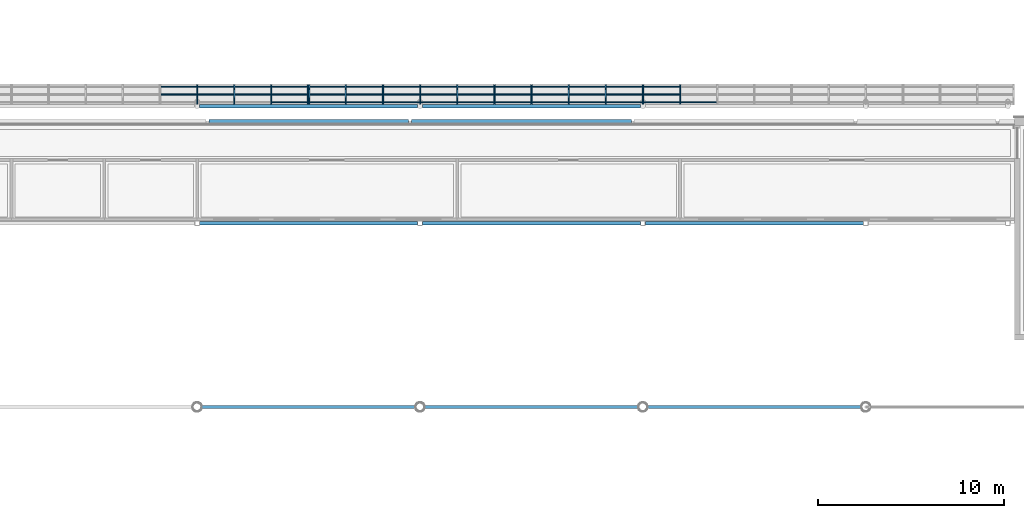
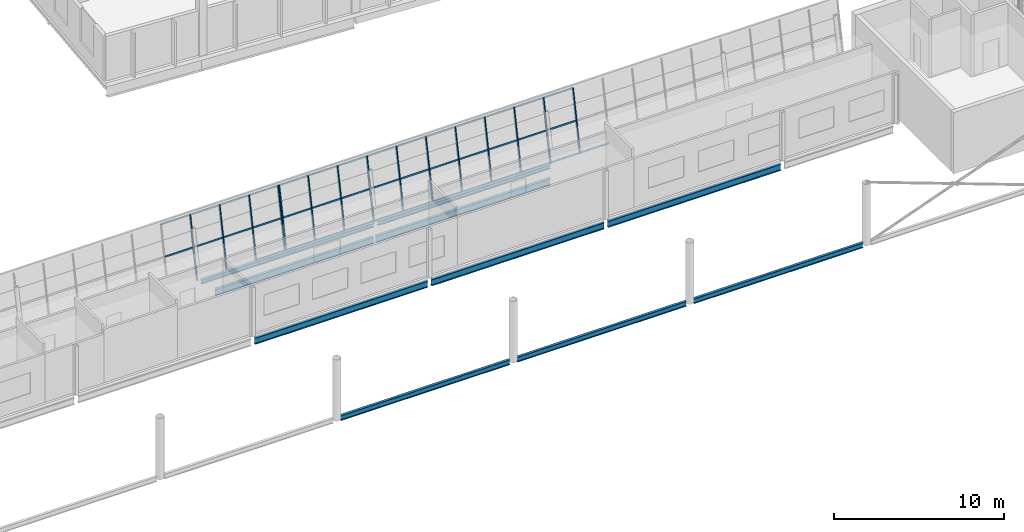
# One storey, part 28 of 95: 55 members, 10 beams, 2 elements without a shape of their own.
"""IFC4 building model written with IfcOpenShell, lengths in metres."""

from ifc_helpers import new_model, si_unit, direction, frame, origin, origin_2d, place, context, subcontext, project, spatial, rectangle, i_section, extrude, material, layer, layer_set, material_profile, profile_set, type_object, element, aggregate, save


model = new_model("IFC4")

# Units and contexts
model_context = context("Model", 3, precision=1e-05, world=origin(), true_north=direction((0.0, 1.0)))
body_context = subcontext(model_context, "Body", "Model", "MODEL_VIEW")
ifc_project = project(units=[si_unit("LENGTHUNIT", "METRE"), si_unit("AREAUNIT", "SQUARE_METRE"), si_unit("VOLUMEUNIT", "CUBIC_METRE"), si_unit("PLANEANGLEUNIT", "RADIAN"), si_unit("MASSUNIT", "GRAM", prefix="KILO")], contexts=[model_context])

# Site, building, storey
site_placement = place(None, origin())
site = spatial("IfcSite", under=ifc_project, at=site_placement, CompositionType="ELEMENT")
building_placement = place(site_placement, origin())
building = spatial("IfcBuilding", under=site, at=building_placement, Name="Windward Yard Aquatics Centre", CompositionType="ELEMENT")
storey_placement = place(building_placement, frame((0.0, 0.0, 9.39990234375)))
storey = spatial("IfcBuildingStorey", under=building, at=storey_placement, Name="L02", CompositionType="ELEMENT", Elevation=9.39990234375)

# Curtain wall, members
ifc_material_1 = material(Name="Glass and aluminium curtain wall", Category="aluminium")
ifc_layer = layer(ifc_material_1, 0.179931640625)
ifc_layer_set = layer_set([ifc_layer], Name="H curtain wall tier 1 double glazed 8+16+8")
curtain_wall_type = type_object("IfcCurtainWallType", Name="H curtain wall tier 1 double glazed 8+16+8", PredefinedType="NOTDEFINED", material=ifc_layer_set)
curtain_wall_1_placement = place(storey_placement, origin())
curtain_wall_1 = element("IfcCurtainWall", 1, at=curtain_wall_1_placement, inside=storey, type_object=curtain_wall_type, Name="Tier 1 glazing N L02", PredefinedType="NOTDEFINED")
ifc_material_2 = material(Name="Aluminium 6063-T6 anodised", Category="aluminium")
ifc_material_profile_1 = material_profile(ifc_material_2, rectangle(XDim=0.06494140625, YDim=0.179931640625, at=origin_2d()), Name="H CW mullion 65x180")
ifc_profile_set_1 = profile_set([ifc_material_profile_1], Name="Aluminium 6063-T6 anodised")
member_type_1 = type_object("IfcMemberType", Name="H CW mullion 65x180", PredefinedType="MULLION", material=ifc_profile_set_1)
member_1_placement = place(storey_placement, frame((95.995849609375, 96.803466796875, 0.0), z_axis=(0.0, 0.199322032497, 0.979934042352), x_axis=(-1.0, 0.0, 0.0)))
member_1 = element("IfcMember", 2, at=member_1_placement, type_object=member_type_1, Name="G1NA mullion 17", PredefinedType="MULLION", context=body_context, shape_type="SweptSolid", body=[
    extrude(rectangle(XDim=0.06494140625, YDim=0.179931640625, at=origin_2d()), origin(), (0.0, 0.0, 1.0), 4.31884765625),
])
member_2_placement = place(storey_placement, frame((97.99560546875, 96.803466796875, 0.0), z_axis=(0.0, 0.199322032497, 0.979934042352), x_axis=(-1.0, 0.0, 0.0)))
member_2 = element("IfcMember", 3, at=member_2_placement, type_object=member_type_1, Name="G1NA mullion 18", PredefinedType="MULLION", context=body_context, shape_type="SweptSolid", body=[
    extrude(rectangle(XDim=0.06494140625, YDim=0.179931640625, at=origin_2d()), origin(), (0.0, 0.0, 1.0), 4.31884765625),
])
member_3_placement = place(storey_placement, frame((99.995361328125, 96.803466796875, 0.0), z_axis=(0.0, 0.199322032497, 0.979934042352), x_axis=(-1.0, 0.0, 0.0)))
member_3 = element("IfcMember", 4, at=member_3_placement, type_object=member_type_1, Name="G1NA mullion 19", PredefinedType="MULLION", context=body_context, shape_type="SweptSolid", body=[
    extrude(rectangle(XDim=0.06494140625, YDim=0.179931640625, at=origin_2d()), origin(), (0.0, 0.0, 1.0), 4.31884765625),
])
member_4_placement = place(storey_placement, frame((101.96240234375, 96.803466796875, 0.0), z_axis=(0.0, 0.199322032497, 0.979934042352), x_axis=(-1.0, 0.0, 0.0)))
member_4 = element("IfcMember", 5, at=member_4_placement, type_object=member_type_1, Name="G1NA mullion 20", PredefinedType="MULLION", context=body_context, shape_type="SweptSolid", body=[
    extrude(rectangle(XDim=0.06494140625, YDim=0.179931640625, at=origin_2d()), origin(), (0.0, 0.0, 1.0), 4.31884765625),
])

curtain_wall_2_placement = place(storey_placement, origin())
curtain_wall_2 = element("IfcCurtainWall", 6, at=curtain_wall_2_placement, inside=storey, type_object=curtain_wall_type, Name="Tier 1 glazing N L02", PredefinedType="NOTDEFINED")
member_5_placement = place(storey_placement, frame((102.03759765625, 96.803466796875, 0.0), z_axis=(0.0, 0.199322032497, 0.979934042352), x_axis=(-1.0, 0.0, 0.0)))
member_5 = element("IfcMember", 7, at=member_5_placement, type_object=member_type_1, Name="G1NB mullion 1", PredefinedType="MULLION", context=body_context, shape_type="SweptSolid", body=[
    extrude(rectangle(XDim=0.06494140625, YDim=0.179931640625, at=origin_2d()), origin(), (0.0, 0.0, 1.0), 4.31884765625),
])
member_6_placement = place(storey_placement, frame((104.004638671875, 96.803466796875, 0.0), z_axis=(0.0, 0.199322032497, 0.979934042352), x_axis=(-1.0, 0.0, 0.0)))
member_6 = element("IfcMember", 8, at=member_6_placement, type_object=member_type_1, Name="G1NB mullion 2", PredefinedType="MULLION", context=body_context, shape_type="SweptSolid", body=[
    extrude(rectangle(XDim=0.06494140625, YDim=0.179931640625, at=origin_2d()), origin(), (0.0, 0.0, 1.0), 4.31884765625),
])
member_7_placement = place(storey_placement, frame((106.00439453125, 96.803466796875, 0.0), z_axis=(0.0, 0.199322032497, 0.979934042352), x_axis=(-1.0, 0.0, 0.0)))
member_7 = element("IfcMember", 9, at=member_7_placement, type_object=member_type_1, Name="G1NB mullion 3", PredefinedType="MULLION", context=body_context, shape_type="SweptSolid", body=[
    extrude(rectangle(XDim=0.06494140625, YDim=0.179931640625, at=origin_2d()), origin(), (0.0, 0.0, 1.0), 4.31884765625),
])
member_8_placement = place(storey_placement, frame((108.004150390625, 96.803466796875, 0.0), z_axis=(0.0, 0.199322032497, 0.979934042352), x_axis=(-1.0, 0.0, 0.0)))
member_8 = element("IfcMember", 10, at=member_8_placement, type_object=member_type_1, Name="G1NB mullion 4", PredefinedType="MULLION", context=body_context, shape_type="SweptSolid", body=[
    extrude(rectangle(XDim=0.06494140625, YDim=0.179931640625, at=origin_2d()), origin(), (0.0, 0.0, 1.0), 4.31884765625),
])
member_9_placement = place(storey_placement, frame((110.00390625, 96.803466796875, 0.0), z_axis=(0.0, 0.199322032497, 0.979934042352), x_axis=(-1.0, 0.0, 0.0)))
member_9 = element("IfcMember", 11, at=member_9_placement, type_object=member_type_1, Name="G1NB mullion 5", PredefinedType="MULLION", context=body_context, shape_type="SweptSolid", body=[
    extrude(rectangle(XDim=0.06494140625, YDim=0.179931640625, at=origin_2d()), origin(), (0.0, 0.0, 1.0), 4.31884765625),
])
member_10_placement = place(storey_placement, frame((112.003662109375, 96.803466796875, 0.0), z_axis=(0.0, 0.199322032497, 0.979934042352), x_axis=(-1.0, 0.0, 0.0)))
member_10 = element("IfcMember", 12, at=member_10_placement, type_object=member_type_1, Name="G1NB mullion 6", PredefinedType="MULLION", context=body_context, shape_type="SweptSolid", body=[
    extrude(rectangle(XDim=0.06494140625, YDim=0.179931640625, at=origin_2d()), origin(), (0.0, 0.0, 1.0), 4.31884765625),
])
member_11_placement = place(storey_placement, frame((114.00341796875, 96.803466796875, 0.0), z_axis=(0.0, 0.199322032497, 0.979934042352), x_axis=(-1.0, 0.0, 0.0)))
member_11 = element("IfcMember", 13, at=member_11_placement, type_object=member_type_1, Name="G1NB mullion 7", PredefinedType="MULLION", context=body_context, shape_type="SweptSolid", body=[
    extrude(rectangle(XDim=0.06494140625, YDim=0.179931640625, at=origin_2d()), origin(), (0.0, 0.0, 1.0), 4.31884765625),
])
member_12_placement = place(storey_placement, frame((116.003173828125, 96.803466796875, 0.0), z_axis=(0.0, 0.199322032497, 0.979934042352), x_axis=(-1.0, 0.0, 0.0)))
member_12 = element("IfcMember", 14, at=member_12_placement, type_object=member_type_1, Name="G1NB mullion 8", PredefinedType="MULLION", context=body_context, shape_type="SweptSolid", body=[
    extrude(rectangle(XDim=0.06494140625, YDim=0.179931640625, at=origin_2d()), origin(), (0.0, 0.0, 1.0), 4.31884765625),
])
member_13_placement = place(storey_placement, frame((118.0029296875, 96.803466796875, 0.0), z_axis=(0.0, 0.199322032497, 0.979934042352), x_axis=(-1.0, 0.0, 0.0)))
member_13 = element("IfcMember", 15, at=member_13_placement, type_object=member_type_1, Name="G1NB mullion 9", PredefinedType="MULLION", context=body_context, shape_type="SweptSolid", body=[
    extrude(rectangle(XDim=0.06494140625, YDim=0.179931640625, at=origin_2d()), origin(), (0.0, 0.0, 1.0), 4.31884765625),
])
member_14_placement = place(storey_placement, frame((120.002685546875, 96.803466796875, 0.0), z_axis=(0.0, 0.199322032497, 0.979934042352), x_axis=(-1.0, 0.0, 0.0)))
member_14 = element("IfcMember", 16, at=member_14_placement, type_object=member_type_1, Name="G1NB mullion 10", PredefinedType="MULLION", context=body_context, shape_type="SweptSolid", body=[
    extrude(rectangle(XDim=0.06494140625, YDim=0.179931640625, at=origin_2d()), origin(), (0.0, 0.0, 1.0), 4.31884765625),
])
member_15_placement = place(storey_placement, frame((122.00244140625, 96.803466796875, 0.0), z_axis=(0.0, 0.199322032497, 0.979934042352), x_axis=(-1.0, 0.0, 0.0)))
member_15 = element("IfcMember", 17, at=member_15_placement, type_object=member_type_1, Name="G1NB mullion 11", PredefinedType="MULLION", context=body_context, shape_type="SweptSolid", body=[
    extrude(rectangle(XDim=0.06494140625, YDim=0.179931640625, at=origin_2d()), origin(), (0.0, 0.0, 1.0), 4.31884765625),
])

# Member
ifc_material_profile_2 = material_profile(ifc_material_2, rectangle(XDim=0.06494140625, YDim=0.10009765625, at=origin_2d()), Name="H CW transom 65x100")
ifc_profile_set_2 = profile_set([ifc_material_profile_2], Name="Aluminium 6063-T6 anodised")
member_type_2 = type_object("IfcMemberType", Name="H CW transom 65x100", PredefinedType="USERDEFINED", material=ifc_profile_set_2)
member_16_placement = place(storey_placement, frame((94.028564453125, 97.235595703125, 2.125), z_axis=(1.0, 0.0, 0.0), x_axis=(0.0, -0.9799247046, 0.19936793452)))
member_16 = element("IfcMember", 18, at=member_16_placement, type_object=member_type_2, Name="G1NA transom 16.2", ObjectType="TRANSOM", PredefinedType="USERDEFINED", context=body_context, shape_type="SweptSolid", body=[
    extrude(rectangle(XDim=0.06494140625, YDim=0.10009765625, at=origin_2d()), origin(), (0.0, 0.0, 1.0), 1.934814453125),
])

member_17_placement = place(storey_placement, frame((94.028564453125, 97.65673828125, 4.194580078125), z_axis=(1.0, 0.0, 0.0), x_axis=(0.0, -0.9799247046, 0.19936793452)))
member_17 = element("IfcMember", 19, at=member_17_placement, type_object=member_type_2, Name="G1NA transom 16.3", ObjectType="TRANSOM", PredefinedType="USERDEFINED", context=body_context, shape_type="SweptSolid", body=[
    extrude(rectangle(XDim=0.06494140625, YDim=0.10009765625, at=origin_2d()), origin(), (0.0, 0.0, 1.0), 1.934814453125),
])

member_18_placement = place(storey_placement, frame((96.0283203125, 97.235595703125, 2.125), z_axis=(1.0, 0.0, 0.0), x_axis=(0.0, -0.9799247046, 0.19936793452)))
member_18 = element("IfcMember", 20, at=member_18_placement, type_object=member_type_2, Name="G1NA transom 17.2", ObjectType="TRANSOM", PredefinedType="USERDEFINED", context=body_context, shape_type="SweptSolid", body=[
    extrude(rectangle(XDim=0.06494140625, YDim=0.10009765625, at=origin_2d()), origin(), (0.0, 0.0, 1.0), 1.934814453125),
])

member_19_placement = place(storey_placement, frame((96.0283203125, 97.65673828125, 4.194580078125), z_axis=(1.0, 0.0, 0.0), x_axis=(0.0, -0.9799247046, 0.19936793452)))
member_19 = element("IfcMember", 21, at=member_19_placement, type_object=member_type_2, Name="G1NA transom 17.3", ObjectType="TRANSOM", PredefinedType="USERDEFINED", context=body_context, shape_type="SweptSolid", body=[
    extrude(rectangle(XDim=0.06494140625, YDim=0.10009765625, at=origin_2d()), origin(), (0.0, 0.0, 1.0), 1.934814453125),
])

member_20_placement = place(storey_placement, frame((98.028076171875, 97.235595703125, 2.125), z_axis=(1.0, 0.0, 0.0), x_axis=(0.0, -0.9799247046, 0.19936793452)))
member_20 = element("IfcMember", 22, at=member_20_placement, type_object=member_type_2, Name="G1NA transom 18.2", ObjectType="TRANSOM", PredefinedType="USERDEFINED", context=body_context, shape_type="SweptSolid", body=[
    extrude(rectangle(XDim=0.06494140625, YDim=0.10009765625, at=origin_2d()), origin(), (0.0, 0.0, 1.0), 1.9345703125),
])

member_21_placement = place(storey_placement, frame((98.028076171875, 97.65673828125, 4.194580078125), z_axis=(1.0, 0.0, 0.0), x_axis=(0.0, -0.9799247046, 0.19936793452)))
member_21 = element("IfcMember", 23, at=member_21_placement, type_object=member_type_2, Name="G1NA transom 18.3", ObjectType="TRANSOM", PredefinedType="USERDEFINED", context=body_context, shape_type="SweptSolid", body=[
    extrude(rectangle(XDim=0.06494140625, YDim=0.10009765625, at=origin_2d()), origin(), (0.0, 0.0, 1.0), 1.9345703125),
])

member_22_placement = place(storey_placement, frame((100.02783203125, 96.813232421875, 0.049072265625), z_axis=(1.0, 0.0, 0.0), x_axis=(0.0, -0.9799247046, 0.19936793452)))
member_22 = element("IfcMember", 24, at=member_22_placement, type_object=member_type_2, Name="G1NA transom 19.1", ObjectType="TRANSOM", PredefinedType="USERDEFINED", context=body_context, shape_type="SweptSolid", body=[
    extrude(rectangle(XDim=0.06494140625, YDim=0.10009765625, at=origin_2d()), origin(), (0.0, 0.0, 1.0), 1.902099609375),
])

member_23_placement = place(storey_placement, frame((100.02783203125, 97.235595703125, 2.125), z_axis=(1.0, 0.0, 0.0), x_axis=(0.0, -0.9799247046, 0.19936793452)))
member_23 = element("IfcMember", 25, at=member_23_placement, type_object=member_type_2, Name="G1NA transom 19.2", ObjectType="TRANSOM", PredefinedType="USERDEFINED", context=body_context, shape_type="SweptSolid", body=[
    extrude(rectangle(XDim=0.06494140625, YDim=0.10009765625, at=origin_2d()), origin(), (0.0, 0.0, 1.0), 1.902099609375),
])

member_24_placement = place(storey_placement, frame((100.02783203125, 97.65673828125, 4.194580078125), z_axis=(1.0, 0.0, 0.0), x_axis=(0.0, -0.9799247046, 0.19936793452)))
member_24 = element("IfcMember", 26, at=member_24_placement, type_object=member_type_2, Name="G1NA transom 19.3", ObjectType="TRANSOM", PredefinedType="USERDEFINED", context=body_context, shape_type="SweptSolid", body=[
    extrude(rectangle(XDim=0.06494140625, YDim=0.10009765625, at=origin_2d()), origin(), (0.0, 0.0, 1.0), 1.902099609375),
])

aggregate(curtain_wall_1, [member_1, member_2, member_3, member_4, member_16, member_17, member_18, member_19, member_20, member_21, member_22, member_23, member_24])

member_25_placement = place(storey_placement, frame((102.070068359375, 96.813232421875, 0.049072265625), z_axis=(1.0, 0.0, 0.0), x_axis=(0.0, -0.9799247046, 0.19936793452)))
member_25 = element("IfcMember", 27, at=member_25_placement, type_object=member_type_2, Name="G1NB transom 1.1", ObjectType="TRANSOM", PredefinedType="USERDEFINED", context=body_context, shape_type="SweptSolid", body=[
    extrude(rectangle(XDim=0.06494140625, YDim=0.10009765625, at=origin_2d()), origin(), (0.0, 0.0, 1.0), 1.902099609375),
])

member_26_placement = place(storey_placement, frame((102.070068359375, 97.235595703125, 2.125), z_axis=(1.0, 0.0, 0.0), x_axis=(0.0, -0.9799247046, 0.19936793452)))
member_26 = element("IfcMember", 28, at=member_26_placement, type_object=member_type_2, Name="G1NB transom 1.2", ObjectType="TRANSOM", PredefinedType="USERDEFINED", context=body_context, shape_type="SweptSolid", body=[
    extrude(rectangle(XDim=0.06494140625, YDim=0.10009765625, at=origin_2d()), origin(), (0.0, 0.0, 1.0), 1.902099609375),
])

member_27_placement = place(storey_placement, frame((102.070068359375, 97.65673828125, 4.194580078125), z_axis=(1.0, 0.0, 0.0), x_axis=(0.0, -0.9799247046, 0.19936793452)))
member_27 = element("IfcMember", 29, at=member_27_placement, type_object=member_type_2, Name="G1NB transom 1.3", ObjectType="TRANSOM", PredefinedType="USERDEFINED", context=body_context, shape_type="SweptSolid", body=[
    extrude(rectangle(XDim=0.06494140625, YDim=0.10009765625, at=origin_2d()), origin(), (0.0, 0.0, 1.0), 1.902099609375),
])

member_28_placement = place(storey_placement, frame((104.037353515625, 96.813232421875, 0.049072265625), z_axis=(1.0, 0.0, 0.0), x_axis=(0.0, -0.9799247046, 0.19936793452)))
member_28 = element("IfcMember", 30, at=member_28_placement, type_object=member_type_2, Name="G1NB transom 2.1", ObjectType="TRANSOM", PredefinedType="USERDEFINED", context=body_context, shape_type="SweptSolid", body=[
    extrude(rectangle(XDim=0.06494140625, YDim=0.10009765625, at=origin_2d()), origin(), (0.0, 0.0, 1.0), 1.9345703125),
])

member_29_placement = place(storey_placement, frame((104.037353515625, 97.235595703125, 2.125), z_axis=(1.0, 0.0, 0.0), x_axis=(0.0, -0.9799247046, 0.19936793452)))
member_29 = element("IfcMember", 31, at=member_29_placement, type_object=member_type_2, Name="G1NB transom 2.2", ObjectType="TRANSOM", PredefinedType="USERDEFINED", context=body_context, shape_type="SweptSolid", body=[
    extrude(rectangle(XDim=0.06494140625, YDim=0.10009765625, at=origin_2d()), origin(), (0.0, 0.0, 1.0), 1.9345703125),
])

member_30_placement = place(storey_placement, frame((104.037353515625, 97.65673828125, 4.194580078125), z_axis=(1.0, 0.0, 0.0), x_axis=(0.0, -0.9799247046, 0.19936793452)))
member_30 = element("IfcMember", 32, at=member_30_placement, type_object=member_type_2, Name="G1NB transom 2.3", ObjectType="TRANSOM", PredefinedType="USERDEFINED", context=body_context, shape_type="SweptSolid", body=[
    extrude(rectangle(XDim=0.06494140625, YDim=0.10009765625, at=origin_2d()), origin(), (0.0, 0.0, 1.0), 1.9345703125),
])

member_31_placement = place(storey_placement, frame((106.036865234375, 96.813232421875, 0.049072265625), z_axis=(1.0, 0.0, 0.0), x_axis=(0.0, -0.9799247046, 0.19936793452)))
member_31 = element("IfcMember", 33, at=member_31_placement, type_object=member_type_2, Name="G1NB transom 3.1", ObjectType="TRANSOM", PredefinedType="USERDEFINED", context=body_context, shape_type="SweptSolid", body=[
    extrude(rectangle(XDim=0.06494140625, YDim=0.10009765625, at=origin_2d()), origin(), (0.0, 0.0, 1.0), 1.934814453125),
])

member_32_placement = place(storey_placement, frame((106.036865234375, 97.235595703125, 2.125), z_axis=(1.0, 0.0, 0.0), x_axis=(0.0, -0.9799247046, 0.19936793452)))
member_32 = element("IfcMember", 34, at=member_32_placement, type_object=member_type_2, Name="G1NB transom 3.2", ObjectType="TRANSOM", PredefinedType="USERDEFINED", context=body_context, shape_type="SweptSolid", body=[
    extrude(rectangle(XDim=0.06494140625, YDim=0.10009765625, at=origin_2d()), origin(), (0.0, 0.0, 1.0), 1.934814453125),
])

member_33_placement = place(storey_placement, frame((106.036865234375, 97.65673828125, 4.194580078125), z_axis=(1.0, 0.0, 0.0), x_axis=(0.0, -0.9799247046, 0.19936793452)))
member_33 = element("IfcMember", 35, at=member_33_placement, type_object=member_type_2, Name="G1NB transom 3.3", ObjectType="TRANSOM", PredefinedType="USERDEFINED", context=body_context, shape_type="SweptSolid", body=[
    extrude(rectangle(XDim=0.06494140625, YDim=0.10009765625, at=origin_2d()), origin(), (0.0, 0.0, 1.0), 1.934814453125),
])

member_34_placement = place(storey_placement, frame((108.03662109375, 96.813232421875, 0.049072265625), z_axis=(1.0, 0.0, 0.0), x_axis=(0.0, -0.9799247046, 0.19936793452)))
member_34 = element("IfcMember", 36, at=member_34_placement, type_object=member_type_2, Name="G1NB transom 4.1", ObjectType="TRANSOM", PredefinedType="USERDEFINED", context=body_context, shape_type="SweptSolid", body=[
    extrude(rectangle(XDim=0.06494140625, YDim=0.10009765625, at=origin_2d()), origin(), (0.0, 0.0, 1.0), 1.934814453125),
])

member_35_placement = place(storey_placement, frame((108.03662109375, 97.235595703125, 2.125), z_axis=(1.0, 0.0, 0.0), x_axis=(0.0, -0.9799247046, 0.19936793452)))
member_35 = element("IfcMember", 37, at=member_35_placement, type_object=member_type_2, Name="G1NB transom 4.2", ObjectType="TRANSOM", PredefinedType="USERDEFINED", context=body_context, shape_type="SweptSolid", body=[
    extrude(rectangle(XDim=0.06494140625, YDim=0.10009765625, at=origin_2d()), origin(), (0.0, 0.0, 1.0), 1.934814453125),
])

member_36_placement = place(storey_placement, frame((108.03662109375, 97.65673828125, 4.194580078125), z_axis=(1.0, 0.0, 0.0), x_axis=(0.0, -0.9799247046, 0.19936793452)))
member_36 = element("IfcMember", 38, at=member_36_placement, type_object=member_type_2, Name="G1NB transom 4.3", ObjectType="TRANSOM", PredefinedType="USERDEFINED", context=body_context, shape_type="SweptSolid", body=[
    extrude(rectangle(XDim=0.06494140625, YDim=0.10009765625, at=origin_2d()), origin(), (0.0, 0.0, 1.0), 1.934814453125),
])

member_37_placement = place(storey_placement, frame((110.036376953125, 96.813232421875, 0.049072265625), z_axis=(1.0, 0.0, 0.0), x_axis=(0.0, -0.9799247046, 0.19936793452)))
member_37 = element("IfcMember", 39, at=member_37_placement, type_object=member_type_2, Name="G1NB transom 5.1", ObjectType="TRANSOM", PredefinedType="USERDEFINED", context=body_context, shape_type="SweptSolid", body=[
    extrude(rectangle(XDim=0.06494140625, YDim=0.10009765625, at=origin_2d()), origin(), (0.0, 0.0, 1.0), 1.934814453125),
])

member_38_placement = place(storey_placement, frame((110.036376953125, 97.235595703125, 2.125), z_axis=(1.0, 0.0, 0.0), x_axis=(0.0, -0.9799247046, 0.19936793452)))
member_38 = element("IfcMember", 40, at=member_38_placement, type_object=member_type_2, Name="G1NB transom 5.2", ObjectType="TRANSOM", PredefinedType="USERDEFINED", context=body_context, shape_type="SweptSolid", body=[
    extrude(rectangle(XDim=0.06494140625, YDim=0.10009765625, at=origin_2d()), origin(), (0.0, 0.0, 1.0), 1.934814453125),
])

member_39_placement = place(storey_placement, frame((110.036376953125, 97.65673828125, 4.194580078125), z_axis=(1.0, 0.0, 0.0), x_axis=(0.0, -0.9799247046, 0.19936793452)))
member_39 = element("IfcMember", 41, at=member_39_placement, type_object=member_type_2, Name="G1NB transom 5.3", ObjectType="TRANSOM", PredefinedType="USERDEFINED", context=body_context, shape_type="SweptSolid", body=[
    extrude(rectangle(XDim=0.06494140625, YDim=0.10009765625, at=origin_2d()), origin(), (0.0, 0.0, 1.0), 1.934814453125),
])

member_40_placement = place(storey_placement, frame((112.0361328125, 96.813232421875, 0.049072265625), z_axis=(1.0, 0.0, 0.0), x_axis=(0.0, -0.9799247046, 0.19936793452)))
member_40 = element("IfcMember", 42, at=member_40_placement, type_object=member_type_2, Name="G1NB transom 6.1", ObjectType="TRANSOM", PredefinedType="USERDEFINED", context=body_context, shape_type="SweptSolid", body=[
    extrude(rectangle(XDim=0.06494140625, YDim=0.10009765625, at=origin_2d()), origin(), (0.0, 0.0, 1.0), 1.934814453125),
])

member_41_placement = place(storey_placement, frame((112.0361328125, 97.235595703125, 2.125), z_axis=(1.0, 0.0, 0.0), x_axis=(0.0, -0.9799247046, 0.19936793452)))
member_41 = element("IfcMember", 43, at=member_41_placement, type_object=member_type_2, Name="G1NB transom 6.2", ObjectType="TRANSOM", PredefinedType="USERDEFINED", context=body_context, shape_type="SweptSolid", body=[
    extrude(rectangle(XDim=0.06494140625, YDim=0.10009765625, at=origin_2d()), origin(), (0.0, 0.0, 1.0), 1.934814453125),
])

member_42_placement = place(storey_placement, frame((112.0361328125, 97.65673828125, 4.194580078125), z_axis=(1.0, 0.0, 0.0), x_axis=(0.0, -0.9799247046, 0.19936793452)))
member_42 = element("IfcMember", 44, at=member_42_placement, type_object=member_type_2, Name="G1NB transom 6.3", ObjectType="TRANSOM", PredefinedType="USERDEFINED", context=body_context, shape_type="SweptSolid", body=[
    extrude(rectangle(XDim=0.06494140625, YDim=0.10009765625, at=origin_2d()), origin(), (0.0, 0.0, 1.0), 1.934814453125),
])

member_43_placement = place(storey_placement, frame((114.035888671875, 96.813232421875, 0.049072265625), z_axis=(1.0, 0.0, 0.0), x_axis=(0.0, -0.9799247046, 0.19936793452)))
member_43 = element("IfcMember", 45, at=member_43_placement, type_object=member_type_2, Name="G1NB transom 7.1", ObjectType="TRANSOM", PredefinedType="USERDEFINED", context=body_context, shape_type="SweptSolid", body=[
    extrude(rectangle(XDim=0.06494140625, YDim=0.10009765625, at=origin_2d()), origin(), (0.0, 0.0, 1.0), 1.934814453125),
])

member_44_placement = place(storey_placement, frame((114.035888671875, 97.235595703125, 2.125), z_axis=(1.0, 0.0, 0.0), x_axis=(0.0, -0.9799247046, 0.19936793452)))
member_44 = element("IfcMember", 46, at=member_44_placement, type_object=member_type_2, Name="G1NB transom 7.2", ObjectType="TRANSOM", PredefinedType="USERDEFINED", context=body_context, shape_type="SweptSolid", body=[
    extrude(rectangle(XDim=0.06494140625, YDim=0.10009765625, at=origin_2d()), origin(), (0.0, 0.0, 1.0), 1.934814453125),
])

member_45_placement = place(storey_placement, frame((114.035888671875, 97.65673828125, 4.194580078125), z_axis=(1.0, 0.0, 0.0), x_axis=(0.0, -0.9799247046, 0.19936793452)))
member_45 = element("IfcMember", 47, at=member_45_placement, type_object=member_type_2, Name="G1NB transom 7.3", ObjectType="TRANSOM", PredefinedType="USERDEFINED", context=body_context, shape_type="SweptSolid", body=[
    extrude(rectangle(XDim=0.06494140625, YDim=0.10009765625, at=origin_2d()), origin(), (0.0, 0.0, 1.0), 1.934814453125),
])

member_46_placement = place(storey_placement, frame((116.03564453125, 96.813232421875, 0.049072265625), z_axis=(1.0, 0.0, 0.0), x_axis=(0.0, -0.9799247046, 0.19936793452)))
member_46 = element("IfcMember", 48, at=member_46_placement, type_object=member_type_2, Name="G1NB transom 8.1", ObjectType="TRANSOM", PredefinedType="USERDEFINED", context=body_context, shape_type="SweptSolid", body=[
    extrude(rectangle(XDim=0.06494140625, YDim=0.10009765625, at=origin_2d()), origin(), (0.0, 0.0, 1.0), 1.934814453125),
])

member_47_placement = place(storey_placement, frame((116.03564453125, 97.235595703125, 2.125), z_axis=(1.0, 0.0, 0.0), x_axis=(0.0, -0.9799247046, 0.19936793452)))
member_47 = element("IfcMember", 49, at=member_47_placement, type_object=member_type_2, Name="G1NB transom 8.2", ObjectType="TRANSOM", PredefinedType="USERDEFINED", context=body_context, shape_type="SweptSolid", body=[
    extrude(rectangle(XDim=0.06494140625, YDim=0.10009765625, at=origin_2d()), origin(), (0.0, 0.0, 1.0), 1.934814453125),
])

member_48_placement = place(storey_placement, frame((116.03564453125, 97.65673828125, 4.194580078125), z_axis=(1.0, 0.0, 0.0), x_axis=(0.0, -0.9799247046, 0.19936793452)))
member_48 = element("IfcMember", 50, at=member_48_placement, type_object=member_type_2, Name="G1NB transom 8.3", ObjectType="TRANSOM", PredefinedType="USERDEFINED", context=body_context, shape_type="SweptSolid", body=[
    extrude(rectangle(XDim=0.06494140625, YDim=0.10009765625, at=origin_2d()), origin(), (0.0, 0.0, 1.0), 1.934814453125),
])

member_49_placement = place(storey_placement, frame((118.035400390625, 96.813232421875, 0.049072265625), z_axis=(1.0, 0.0, 0.0), x_axis=(0.0, -0.9799247046, 0.19936793452)))
member_49 = element("IfcMember", 51, at=member_49_placement, type_object=member_type_2, Name="G1NB transom 9.1", ObjectType="TRANSOM", PredefinedType="USERDEFINED", context=body_context, shape_type="SweptSolid", body=[
    extrude(rectangle(XDim=0.06494140625, YDim=0.10009765625, at=origin_2d()), origin(), (0.0, 0.0, 1.0), 1.934814453125),
])

member_50_placement = place(storey_placement, frame((118.035400390625, 97.235595703125, 2.125), z_axis=(1.0, 0.0, 0.0), x_axis=(0.0, -0.9799247046, 0.19936793452)))
member_50 = element("IfcMember", 52, at=member_50_placement, type_object=member_type_2, Name="G1NB transom 9.2", ObjectType="TRANSOM", PredefinedType="USERDEFINED", context=body_context, shape_type="SweptSolid", body=[
    extrude(rectangle(XDim=0.06494140625, YDim=0.10009765625, at=origin_2d()), origin(), (0.0, 0.0, 1.0), 1.934814453125),
])

member_51_placement = place(storey_placement, frame((118.035400390625, 97.65673828125, 4.194580078125), z_axis=(1.0, 0.0, 0.0), x_axis=(0.0, -0.9799247046, 0.19936793452)))
member_51 = element("IfcMember", 53, at=member_51_placement, type_object=member_type_2, Name="G1NB transom 9.3", ObjectType="TRANSOM", PredefinedType="USERDEFINED", context=body_context, shape_type="SweptSolid", body=[
    extrude(rectangle(XDim=0.06494140625, YDim=0.10009765625, at=origin_2d()), origin(), (0.0, 0.0, 1.0), 1.934814453125),
])

member_52_placement = place(storey_placement, frame((120.03515625, 96.813232421875, 0.049072265625), z_axis=(1.0, 0.0, 0.0), x_axis=(0.0, -0.9799247046, 0.19936793452)))
member_52 = element("IfcMember", 54, at=member_52_placement, type_object=member_type_2, Name="G1NB transom 10.1", ObjectType="TRANSOM", PredefinedType="USERDEFINED", context=body_context, shape_type="SweptSolid", body=[
    extrude(rectangle(XDim=0.06494140625, YDim=0.10009765625, at=origin_2d()), origin(), (0.0, 0.0, 1.0), 1.934814453125),
])

member_53_placement = place(storey_placement, frame((120.03515625, 97.235595703125, 2.125), z_axis=(1.0, 0.0, 0.0), x_axis=(0.0, -0.9799247046, 0.19936793452)))
member_53 = element("IfcMember", 55, at=member_53_placement, type_object=member_type_2, Name="G1NB transom 10.2", ObjectType="TRANSOM", PredefinedType="USERDEFINED", context=body_context, shape_type="SweptSolid", body=[
    extrude(rectangle(XDim=0.06494140625, YDim=0.10009765625, at=origin_2d()), origin(), (0.0, 0.0, 1.0), 1.934814453125),
])

member_54_placement = place(storey_placement, frame((120.03515625, 97.65673828125, 4.194580078125), z_axis=(1.0, 0.0, 0.0), x_axis=(0.0, -0.9799247046, 0.19936793452)))
member_54 = element("IfcMember", 56, at=member_54_placement, type_object=member_type_2, Name="G1NB transom 10.3", ObjectType="TRANSOM", PredefinedType="USERDEFINED", context=body_context, shape_type="SweptSolid", body=[
    extrude(rectangle(XDim=0.06494140625, YDim=0.10009765625, at=origin_2d()), origin(), (0.0, 0.0, 1.0), 1.934814453125),
])

member_55_placement = place(storey_placement, frame((122.034912109375, 96.813232421875, 0.049072265625), z_axis=(1.0, 0.0, 0.0), x_axis=(0.0, -0.9799247046, 0.19936793452)))
member_55 = element("IfcMember", 57, at=member_55_placement, type_object=member_type_2, Name="G1NB transom 11.1", ObjectType="TRANSOM", PredefinedType="USERDEFINED", context=body_context, shape_type="SweptSolid", body=[
    extrude(rectangle(XDim=0.06494140625, YDim=0.10009765625, at=origin_2d()), origin(), (0.0, 0.0, 1.0), 1.934814453125),
])

aggregate(curtain_wall_2, [member_5, member_6, member_7, member_8, member_9, member_10, member_11, member_12, member_13, member_14, member_15, member_25, member_26, member_27, member_28, member_29, member_30, member_31, member_32, member_33, member_34, member_35, member_36, member_37, member_38, member_39, member_40, member_41, member_42, member_43, member_44, member_45, member_46, member_47, member_48, member_49, member_50, member_51, member_52, member_53, member_54, member_55])

# Beams
ifc_material_3 = material(Name="Steel ASTM A992 Gr 50", Category="steel")
ifc_material_profile_3 = material_profile(ifc_material_3, i_section(OverallWidth=0.172119140625, OverallDepth=0.35791015625, WebThickness=0.0078125, FlangeThickness=0.01318359375, at=origin_2d()), Name="W360X57.8")
ifc_profile_set_3 = profile_set([ifc_material_profile_3], Name="Steel ASTM A992 Gr 50")
beam_type_1 = type_object("IfcBeamType", Name="H arch column tie beam W360X57.8", PredefinedType="BEAM", material=ifc_profile_set_3)
for number, where, z_axis, x_axis, name in (
    (58, (96.25390625, 80.39990234375, 0.0), (1.0, 0.0, 0.0), (0.0, 1.0, 0.0), "H.TB.N4.T2"),
    (59, (108.25390625, 80.39990234375, 0.0), (1.0, 0.0, 0.0), (0.0, 1.0, 0.0), "H.TB.N5.T2"),
    (60, (120.25390625, 80.39990234375, 0.0), (1.0, 0.0, 0.0), (0.0, 1.0, 0.0), "H.TB.N6.T2"),
):
    element("IfcBeam", number, at=place(storey_placement, frame(where, z_axis=z_axis, x_axis=x_axis)), inside=storey, type_object=beam_type_1, Name=name, PredefinedType="BEAM", context=body_context, shape_type="SweptSolid", body=[
        extrude(i_section(OverallWidth=0.172119140625, OverallDepth=0.35791015625, WebThickness=0.0078125, FlangeThickness=0.01318359375, at=origin_2d()), origin(), (0.0, 0.0, 1.0), 11.4921875),
    ])
ifc_material_profile_4 = material_profile(ifc_material_3, i_section(OverallWidth=0.19091796875, OverallDepth=0.45703125, WebThickness=0.009033203125, FlangeThickness=0.014404296875, at=origin_2d()), Name="W460X74")
ifc_profile_set_4 = profile_set([ifc_material_profile_4], Name="Steel ASTM A992 Gr 50")
beam_type_2 = type_object("IfcBeamType", Name="H gallery edge beam W460X74", PredefinedType="BEAM", material=ifc_profile_set_4)
beam_1_placement = place(storey_placement, frame((96.626220703125, 95.77490234375, -0.428466796875), z_axis=(1.0, 0.0, 0.0), x_axis=(0.0, 1.0, 0.0)))
element("IfcBeam", 61, at=beam_1_placement, inside=storey, type_object=beam_type_2, Name="H.GB.N.O5", PredefinedType="BEAM", context=body_context, shape_type="SweptSolid", body=[
    extrude(i_section(OverallWidth=0.19091796875, OverallDepth=0.45703125, WebThickness=0.009033203125, FlangeThickness=0.014404296875, at=origin_2d()), origin(), (0.0, 0.0, 1.0), 10.74755859375),
])
beam_2_placement = place(storey_placement, frame((107.526123046875, 95.77490234375, -0.428466796875), z_axis=(1.0, 0.0, 0.0), x_axis=(0.0, 1.0, 0.0)))
element("IfcBeam", 62, at=beam_2_placement, inside=storey, type_object=beam_type_2, Name="H.GB.N.O6", PredefinedType="BEAM", context=body_context, shape_type="SweptSolid", body=[
    extrude(i_section(OverallWidth=0.19091796875, OverallDepth=0.45703125, WebThickness=0.009033203125, FlangeThickness=0.014404296875, at=origin_2d()), origin(), (0.0, 0.0, 1.0), 11.84765625),
])
for number, where, z_axis, x_axis, name in (
    (63, (96.126953125, 90.290283203125, -0.428466796875), (1.0, 0.0, 0.0), (0.0, 1.0, 0.0), "H.GB.N.I4"),
    (64, (108.126953125, 90.290283203125, -0.428466796875), (1.0, 0.0, 0.0), (0.0, 1.0, 0.0), "H.GB.N.I5"),
    (65, (120.126953125, 90.290283203125, -0.428466796875), (1.0, 0.0, 0.0), (0.0, 1.0, 0.0), "H.GB.N.I6"),
):
    element("IfcBeam", number, at=place(storey_placement, frame(where, z_axis=z_axis, x_axis=x_axis)), inside=storey, type_object=beam_type_2, Name=name, PredefinedType="BEAM", context=body_context, shape_type="SweptSolid", body=[
        extrude(i_section(OverallWidth=0.19091796875, OverallDepth=0.45703125, WebThickness=0.009033203125, FlangeThickness=0.014404296875, at=origin_2d()), origin(), (0.0, 0.0, 1.0), 11.74609375),
    ])
ifc_material_profile_5 = material_profile(ifc_material_3, i_section(OverallWidth=0.202880859375, OverallDepth=0.302001953125, WebThickness=0.007568359375, FlangeThickness=0.01318359375, at=origin_2d()), Name="W310X60")
ifc_profile_set_5 = profile_set([ifc_material_profile_5], Name="Steel ASTM A992 Gr 50")
beam_type_3 = type_object("IfcBeamType", Name="H tier ring beam W310X60", PredefinedType="BEAM", material=ifc_profile_set_5)
for number, where, z_axis, x_axis, name in (
    (66, (96.136474609375, 96.59521484375, 0.0), (1.0, 0.0, 0.0), (0.0, 1.0, 0.0), "H.RG.N4.1"),
    (67, (108.136474609375, 96.59521484375, 0.0), (1.0, 0.0, 0.0), (0.0, 1.0, 0.0), "H.RG.N5.1"),
):
    element("IfcBeam", number, at=place(storey_placement, frame(where, z_axis=z_axis, x_axis=x_axis)), inside=storey, type_object=beam_type_3, Name=name, PredefinedType="BEAM", context=body_context, shape_type="SweptSolid", body=[
        extrude(i_section(OverallWidth=0.202880859375, OverallDepth=0.302001953125, WebThickness=0.007568359375, FlangeThickness=0.01318359375, at=origin_2d()), origin(), (0.0, 0.0, 1.0), 11.72705078125),
    ])

save(model, "model.ifc")
